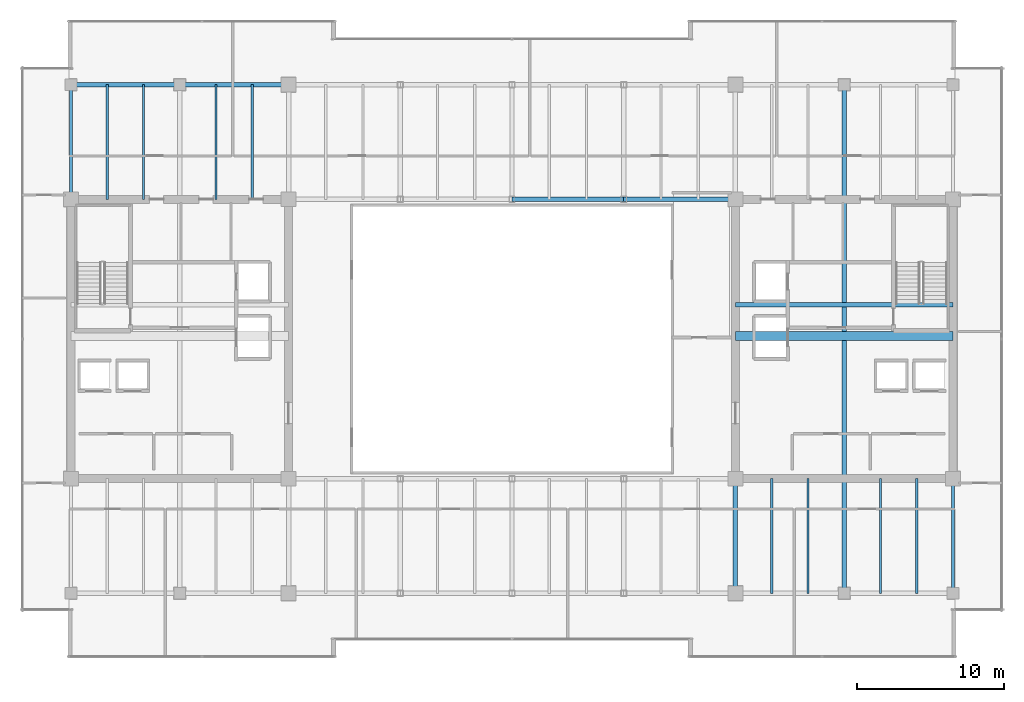
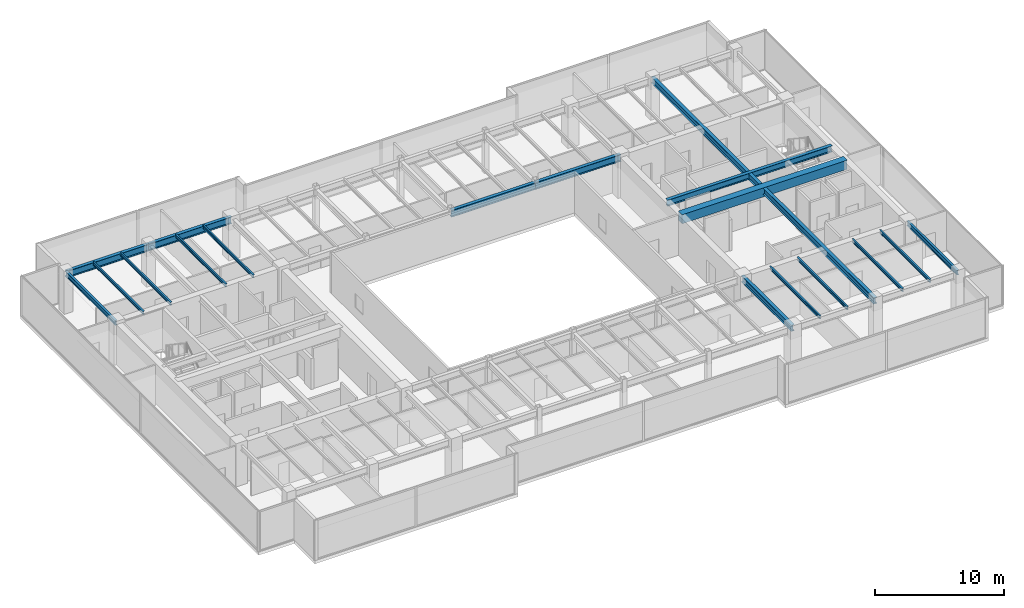
# One storey, part 14 of 35: 18 beams.
"""IFC4 building model written with IfcOpenShell, lengths in metres."""

from ifc_helpers import new_model, si_unit, direction, frame, origin, origin_2d, place, context, subcontext, project, spatial, rectangle, i_section, extrude, source, transform, mapped, material, material_profile, profile_set, type_object, type_shapes, element, save


model = new_model("IFC4")

# Units and contexts
model_context = context("Model", 3, precision=1e-05, world=origin(), true_north=direction((0.0, 1.0)))
body_context = subcontext(model_context, "Body", "Model", "MODEL_VIEW")
ifc_project = project(units=[si_unit("LENGTHUNIT", "METRE"), si_unit("AREAUNIT", "SQUARE_METRE"), si_unit("VOLUMEUNIT", "CUBIC_METRE"), si_unit("PLANEANGLEUNIT", "RADIAN"), si_unit("MASSUNIT", "GRAM", prefix="KILO")], contexts=[model_context])

# Site, building, storey
site_placement = place(None, origin())
site = spatial("IfcSite", under=ifc_project, at=site_placement, CompositionType="ELEMENT")
building_placement = place(site_placement, origin())
building = spatial("IfcBuilding", under=site, at=building_placement, Name="Haelvirn Gate Laboratories", CompositionType="ELEMENT")
storey_placement = place(building_placement, frame((0.0, 0.0, 221.89990234375)))
storey = spatial("IfcBuildingStorey", under=building, at=storey_placement, Name="L53", CompositionType="ELEMENT", Elevation=221.89990234375)

# Beams
ifc_material_1 = material(Name="Steel SM355", Category="steel")
ifc_material_profile_1 = material_profile(ifc_material_1, i_section(OverallWidth=0.300048828125, OverallDepth=0.587890625, WebThickness=0.011962890625, FlangeThickness=0.02001953125, at=origin_2d()), Name="H-588x300x12x20")
ifc_profile_set_1 = profile_set([ifc_material_profile_1], Name="Steel SM355")
beam_type_1 = type_object("IfcBeamType", Name="BM-G-588", PredefinedType="BEAM", material=ifc_profile_set_1)
shared_shape_1 = source(origin(), body_context, "Body", "SweptSolid", [
    extrude(i_section(OverallWidth=0.300048828125, OverallDepth=0.587890625, WebThickness=0.011962890625, FlangeThickness=0.02001953125, at=origin_2d()), origin(), (0.0, 0.0, 1.0), 14.7998046875),
])
beam_1_placement = place(storey_placement, frame((52.60009765625, 26.6201171875, 3.506103515625), z_axis=(1.0, 0.0, 0.0), x_axis=(0.0, 1.0, 0.0)))
element("IfcBeam", 1, at=beam_1_placement, inside=storey, type_object=beam_type_1, Name="L53 Stair ST2 Landing Header", PredefinedType="BEAM", context=body_context, shape_type="MappedRepresentation", body=[
    mapped(shared_shape_1, transform((0.0, 0.0, 0.0), scale=1.0)),
])
ifc_material_profile_2 = material_profile(ifc_material_1, i_section(OverallWidth=0.14990234375, OverallDepth=0.300048828125, WebThickness=0.006591796875, FlangeThickness=0.009033203125, at=origin_2d()), Name="H-300x150x6.5x9")
ifc_profile_set_2 = profile_set([ifc_material_profile_2], Name="Steel SM355")
beam_type_2 = type_object("IfcBeamType", Name="BM-J-300", PredefinedType="JOIST", material=ifc_profile_set_2)
shared_shape_2 = source(origin(), body_context, "Body", "SweptSolid", [
    extrude(i_section(OverallWidth=0.14990234375, OverallDepth=0.300048828125, WebThickness=0.006591796875, FlangeThickness=0.009033203125, at=origin_2d()), origin(), (0.0, 0.0, 1.0), 7.800048828125),
])
type_shapes(beam_type_2, [shared_shape_2])
for number, where, z_axis, x_axis, name in (
    (2, (9.8701171875, 33.800048828125, 3.650146484375), (0.0, 1.0, 0.0), (-1.0, 0.0, 0.0), "L53 Composite Lab Joist North X9.87"),
    (3, (12.330078125, 33.800048828125, 3.650146484375), (0.0, 1.0, 0.0), (-1.0, 0.0, 0.0), "L53 Composite Lab Joist North X12.33"),
    (4, (17.27001953125, 33.800048828125, 3.650146484375), (0.0, 1.0, 0.0), (-1.0, 0.0, 0.0), "L53 Composite Lab Joist North X17.27"),
    (5, (19.72998046875, 33.800048828125, 3.650146484375), (0.0, 1.0, 0.0), (-1.0, 0.0, 0.0), "L53 Composite Lab Joist North X19.73"),
    (6, (55.070068359375, 7.0, 3.650146484375), (0.0, 1.0, 0.0), (-1.0, 0.0, 0.0), "L53 Composite Lab Joist South X55.07"),
    (7, (57.530029296875, 7.0, 3.650146484375), (0.0, 1.0, 0.0), (-1.0, 0.0, 0.0), "L53 Composite Lab Joist South X57.53"),
    (8, (62.469970703125, 7.0, 3.650146484375), (0.0, 1.0, 0.0), (-1.0, 0.0, 0.0), "L53 Composite Lab Joist South X62.47"),
    (9, (64.929931640625, 7.0, 3.650146484375), (0.0, 1.0, 0.0), (-1.0, 0.0, 0.0), "L53 Composite Lab Joist South X64.93"),
):
    element("IfcBeam", number, at=place(storey_placement, frame(where, z_axis=z_axis, x_axis=x_axis)), inside=storey, type_object=beam_type_2, Name=name, PredefinedType="JOIST", context=body_context, shape_type="MappedRepresentation", body=[
        mapped(shared_shape_2, transform((0.0, 0.0, 0.0), scale=1.0)),
    ])
shared_shape_3 = source(origin(), body_context, "Body", "SweptSolid", [
    extrude(i_section(OverallWidth=0.300048828125, OverallDepth=0.587890625, WebThickness=0.011962890625, FlangeThickness=0.02001953125, at=origin_2d()), origin(), (0.0, 0.0, 1.0), 34.60009765625),
])
beam_2_placement = place(storey_placement, frame((60.0, 7.0, 3.506103515625), z_axis=(0.0, 1.0, 0.0), x_axis=(-1.0, 0.0, 0.0)))
element("IfcBeam", 10, at=beam_2_placement, inside=storey, type_object=beam_type_1, Name="L53 Frame Girder X60.0 (7.0-41.6)", PredefinedType="BEAM", context=body_context, shape_type="MappedRepresentation", body=[
    mapped(shared_shape_3, transform((0.0, 0.0, 0.0), scale=1.0)),
])
shared_shape_4 = source(origin(), body_context, "Body", "SweptSolid", [
    extrude(i_section(OverallWidth=0.300048828125, OverallDepth=0.587890625, WebThickness=0.011962890625, FlangeThickness=0.02001953125, at=origin_2d()), origin(), (0.0, 0.0, 1.0), 7.800048828125),
])
type_shapes(beam_type_1, [shared_shape_1, shared_shape_3, shared_shape_4])
beam_3_placement = place(storey_placement, frame((52.60009765625, 7.0, 3.506103515625), z_axis=(0.0, 1.0, 0.0), x_axis=(-1.0, 0.0, 0.0)))
element("IfcBeam", 11, at=beam_3_placement, inside=storey, type_object=beam_type_1, Name="L53 Frame Girder X52.6 (7.0-14.8)", PredefinedType="BEAM", context=body_context, shape_type="MappedRepresentation", body=[
    mapped(shared_shape_4, transform((0.0, 0.0, 0.0), scale=1.0)),
])
ifc_material_2 = material(Name="Concrete C50/60", Category="concrete")
ifc_material_profile_3 = material_profile(ifc_material_2, rectangle(XDim=0.60009765625, YDim=0.85009765625, at=origin_2d()), Name="RCB-600x850")
ifc_profile_set_3 = profile_set([ifc_material_profile_3], Name="Concrete C50/60")
beam_type_3 = type_object("IfcBeamType", Name="BM-RCB-850", PredefinedType="LINTEL", material=ifc_profile_set_3)
shared_shape_5 = source(origin(), body_context, "Body", "SweptSolid", [
    extrude(rectangle(XDim=0.60009765625, YDim=0.85009765625, at=origin_2d()), origin(), (0.0, 0.0, 1.0), 14.7998046875),
])
type_shapes(beam_type_3, [shared_shape_5])
beam_4_placement = place(storey_placement, frame((52.60009765625, 24.5, 3.375), z_axis=(1.0, 0.0, 0.0), x_axis=(0.0, 1.0, 0.0)))
element("IfcBeam", 12, at=beam_4_placement, inside=storey, type_object=beam_type_3, Name="L53 East Core Coupling Beam", PredefinedType="LINTEL", context=body_context, shape_type="MappedRepresentation", body=[
    mapped(shared_shape_5, transform((0.0, 0.0, 0.0), scale=1.0)),
])
ifc_material_profile_4 = material_profile(ifc_material_1, i_section(OverallWidth=0.300048828125, OverallDepth=0.64990234375, WebThickness=0.012939453125, FlangeThickness=0.02197265625, at=origin_2d()), Name="H-650x300x13x22")
ifc_profile_set_4 = profile_set([ifc_material_profile_4], Name="Steel SM355")
beam_type_4 = type_object("IfcBeamType", Name="BM-G-650", PredefinedType="BEAM", material=ifc_profile_set_4)
shared_shape_6 = source(origin(), body_context, "Body", "SweptSolid", [
    extrude(i_section(OverallWidth=0.300048828125, OverallDepth=0.64990234375, WebThickness=0.012939453125, FlangeThickness=0.02197265625, at=origin_2d()), origin(), (0.0, 0.0, 1.0), 7.400146484375),
])
beam_5_placement = place(storey_placement, frame((7.39990234375, 41.60009765625, 3.47509765625), z_axis=(1.0, 0.0, 0.0), x_axis=(0.0, 1.0, 0.0)))
element("IfcBeam", 13, at=beam_5_placement, inside=storey, type_object=beam_type_4, Name="L53 Primary Girder Y41.6 (7.4-14.8)", PredefinedType="BEAM", context=body_context, shape_type="MappedRepresentation", body=[
    mapped(shared_shape_6, transform((0.0, 0.0, 0.0), scale=1.0)),
])
shared_shape_7 = source(origin(), body_context, "Body", "SweptSolid", [
    extrude(i_section(OverallWidth=0.300048828125, OverallDepth=0.64990234375, WebThickness=0.012939453125, FlangeThickness=0.02197265625, at=origin_2d()), origin(), (0.0, 0.0, 1.0), 7.39990234375),
])
beam_6_placement = place(storey_placement, frame((14.800048828125, 41.60009765625, 3.47509765625), z_axis=(1.0, 0.0, 0.0), x_axis=(0.0, 1.0, 0.0)))
element("IfcBeam", 14, at=beam_6_placement, inside=storey, type_object=beam_type_4, Name="L53 Primary Girder Y41.6 (14.8-22.2)", PredefinedType="BEAM", context=body_context, shape_type="MappedRepresentation", body=[
    mapped(shared_shape_7, transform((0.0, 0.0, 0.0), scale=1.0)),
])
shared_shape_8 = source(origin(), body_context, "Body", "SweptSolid", [
    extrude(i_section(OverallWidth=0.300048828125, OverallDepth=0.64990234375, WebThickness=0.012939453125, FlangeThickness=0.02197265625, at=origin_2d()), origin(), (0.0, 0.0, 1.0), 7.60009765625),
])
type_shapes(beam_type_4, [shared_shape_6, shared_shape_7, shared_shape_8])
for number, where, z_axis, x_axis, name in (
    (15, (37.39990234375, 33.800048828125, 3.47509765625), (1.0, 0.0, 0.0), (0.0, 1.0, 0.0), "L53 Primary Girder Y33.8 (37.4-45.0)"),
    (16, (45.0, 33.800048828125, 3.47509765625), (1.0, 0.0, 0.0), (0.0, 1.0, 0.0), "L53 Primary Girder Y33.8 (45.0-52.6)"),
):
    element("IfcBeam", number, at=place(storey_placement, frame(where, z_axis=z_axis, x_axis=x_axis)), inside=storey, type_object=beam_type_4, Name=name, PredefinedType="BEAM", context=body_context, shape_type="MappedRepresentation", body=[
        mapped(shared_shape_8, transform((0.0, 0.0, 0.0), scale=1.0)),
    ])
ifc_material_profile_5 = material_profile(ifc_material_1, i_section(OverallWidth=0.199951171875, OverallDepth=0.449951171875, WebThickness=0.009033203125, FlangeThickness=0.013916015625, at=origin_2d()), Name="H-450x200x9x14")
ifc_profile_set_5 = profile_set([ifc_material_profile_5], Name="Steel SM355")
beam_type_5 = type_object("IfcBeamType", Name="BM-SP-450", PredefinedType="SPANDREL", material=ifc_profile_set_5)
shared_shape_9 = source(origin(), body_context, "Body", "SweptSolid", [
    extrude(i_section(OverallWidth=0.199951171875, OverallDepth=0.449951171875, WebThickness=0.009033203125, FlangeThickness=0.013916015625, at=origin_2d()), origin(), (0.0, 0.0, 1.0), 7.800048828125),
])
type_shapes(beam_type_5, [shared_shape_9])
for number, where, z_axis, x_axis, name in (
    (17, (7.39990234375, 33.800048828125, 3.5751953125), (0.0, 1.0, 0.0), (-1.0, 0.0, 0.0), "L53 Perimeter Spandrel X7.4 (33.8-41.6)"),
    (18, (67.39990234375, 7.0, 3.5751953125), (0.0, 1.0, 0.0), (-1.0, 0.0, 0.0), "L53 Perimeter Spandrel X67.4 (7.0-14.8)"),
):
    element("IfcBeam", number, at=place(storey_placement, frame(where, z_axis=z_axis, x_axis=x_axis)), inside=storey, type_object=beam_type_5, Name=name, PredefinedType="SPANDREL", context=body_context, shape_type="MappedRepresentation", body=[
        mapped(shared_shape_9, transform((0.0, 0.0, 0.0), scale=1.0)),
    ])

save(model, "model.ifc")
